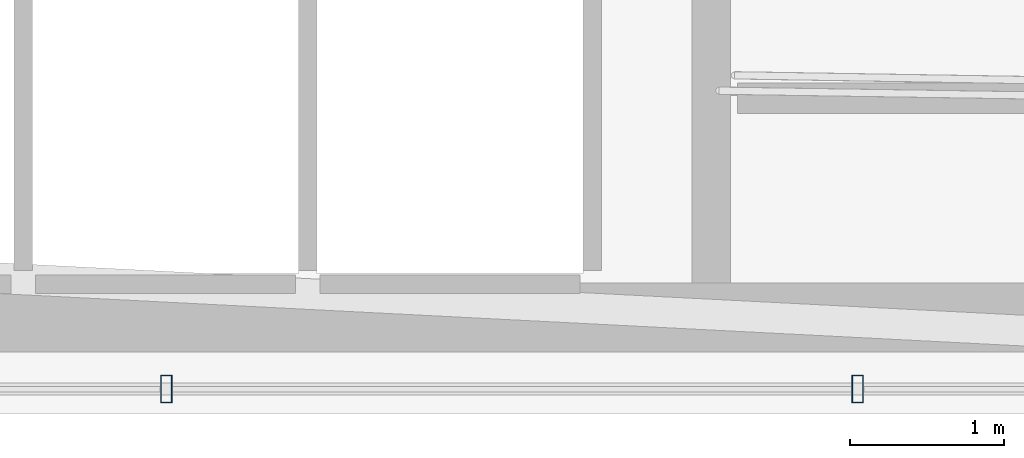
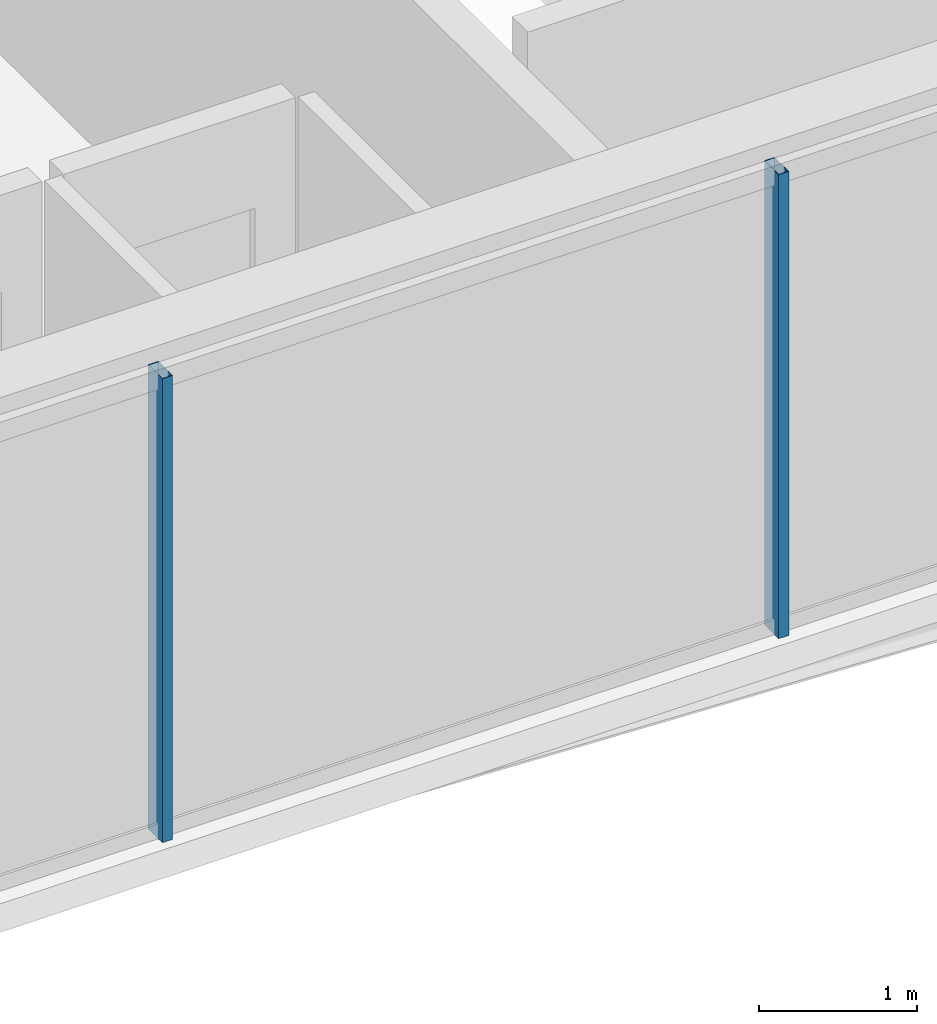
# One storey, part 7 of 32: 2 members, 1 element without a shape of its own.
"""IFC4 building model written with IfcOpenShell, lengths in metres."""

from ifc_helpers import new_model, si_unit, direction, frame, origin, origin_2d, place, context, subcontext, project, spatial, hollow_rectangle, extrude, material, layer, layer_set, material_profile, profile_set, type_object, element, aggregate, save


model = new_model("IFC4")

# Units and contexts
model_context = context("Model", 3, precision=1e-05, world=origin(), true_north=direction((0.0, 1.0)))
body_context = subcontext(model_context, "Body", "Model", "MODEL_VIEW")
ifc_project = project(units=[si_unit("LENGTHUNIT", "METRE"), si_unit("AREAUNIT", "SQUARE_METRE"), si_unit("VOLUMEUNIT", "CUBIC_METRE"), si_unit("PLANEANGLEUNIT", "RADIAN"), si_unit("MASSUNIT", "GRAM", prefix="KILO")], contexts=[model_context])

# Site, building, storey
site_placement = place(None, origin())
site = spatial("IfcSite", under=ifc_project, at=site_placement, CompositionType="ELEMENT")
building_placement = place(site_placement, origin())
building = spatial("IfcBuilding", under=site, at=building_placement, Name="Ndaravel Arena Tower", CompositionType="ELEMENT")
storey_placement = place(building_placement, frame((0.0, 0.0, 66.39990234375)))
storey = spatial("IfcBuildingStorey", under=building, at=storey_placement, Name="L14", CompositionType="ELEMENT", Elevation=66.39990234375)

# Curtain wall, members
ifc_material_1 = material(Name="Aluminium", Category="aluminium")
ifc_layer = layer(ifc_material_1, 0.179931640625)
ifc_layer_set = layer_set([ifc_layer], Name="Aluminium")
curtain_wall_type = type_object("IfcCurtainWallType", Name="CW-SYS-03", PredefinedType="NOTDEFINED", material=ifc_layer_set)
curtain_wall_placement = place(storey_placement, origin())
curtain_wall = element("IfcCurtainWall", 1, at=curtain_wall_placement, inside=storey, type_object=curtain_wall_type, Name="L14 Faceted Crystal Curtain Wall CW-L14-E01", PredefinedType="NOTDEFINED")
ifc_material_2 = material(Name="Aluminium", Category="aluminium")
ifc_material_profile = material_profile(ifc_material_2, hollow_rectangle(XDim=0.074951171875, YDim=0.179931640625, WallThickness=0.00390625, at=origin_2d()), Name="CW MULLION 75x180x4")
ifc_profile_set = profile_set([ifc_material_profile], Name="Aluminium")
member_type = type_object("IfcMemberType", Name="MEM-CW-MUL180", PredefinedType="MULLION", material=ifc_profile_set)
member_1_placement = place(storey_placement, frame((35.25634765625, 5.159912109375, 0.0), z_axis=(0.0, 0.0, 1.0), x_axis=(1.0, 0.0, 0.0)))
member_1 = element("IfcMember", 2, at=member_1_placement, type_object=member_type, Name="CW-L14-E01 Mullion 02", PredefinedType="MULLION", context=body_context, shape_type="SweptSolid", body=[
    extrude(hollow_rectangle(XDim=0.074951171875, YDim=0.179931640625, WallThickness=0.00390625, at=origin_2d()), origin(), (0.0, 0.0, 1.0), 3.580078125),
])
member_2_placement = place(storey_placement, frame((39.752197265625, 5.159912109375, 0.0), z_axis=(0.0, 0.0, 1.0), x_axis=(1.0, 0.0, 0.0)))
member_2 = element("IfcMember", 3, at=member_2_placement, type_object=member_type, Name="CW-L14-E01 Mullion 03", PredefinedType="MULLION", context=body_context, shape_type="SweptSolid", body=[
    extrude(hollow_rectangle(XDim=0.074951171875, YDim=0.179931640625, WallThickness=0.00390625, at=origin_2d()), origin(), (0.0, 0.0, 1.0), 3.580078125),
])
aggregate(curtain_wall, [member_1, member_2])

save(model, "model.ifc")
